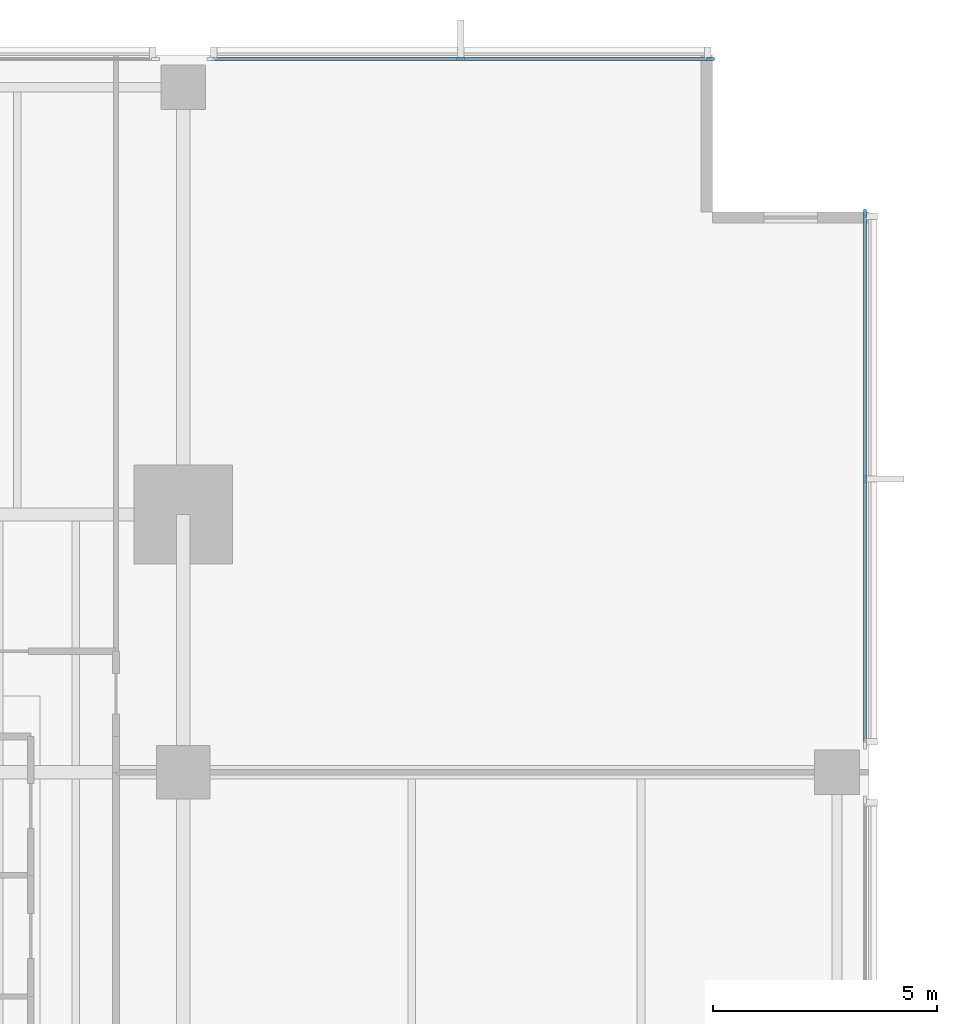
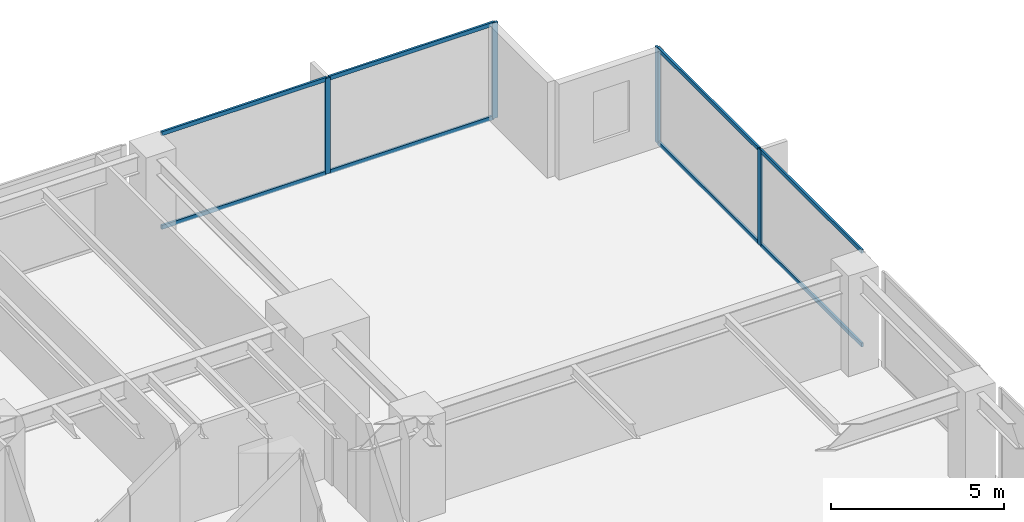
# One storey, part 6 of 15: 12 members, 2 elements without a shape of their own.
"""IFC4 building model written with IfcOpenShell, lengths in metres."""

from ifc_helpers import new_model, si_unit, direction, frame, origin, origin_2d, place, context, subcontext, project, spatial, rectangle, extrude, material, layer, layer_set, material_profile, profile_set, type_object, element, aggregate, save


model = new_model("IFC4")

# Units and contexts
model_context = context("Model", 3, precision=1e-05, world=origin(), true_north=direction((0.0, 1.0)))
body_context = subcontext(model_context, "Body", "Model", "MODEL_VIEW")
ifc_project = project(units=[si_unit("LENGTHUNIT", "METRE"), si_unit("AREAUNIT", "SQUARE_METRE"), si_unit("VOLUMEUNIT", "CUBIC_METRE"), si_unit("PLANEANGLEUNIT", "RADIAN"), si_unit("MASSUNIT", "GRAM", prefix="KILO")], contexts=[model_context])

# Site, building, storey
site_placement = place(None, origin())
site = spatial("IfcSite", under=ifc_project, at=site_placement, CompositionType="ELEMENT")
building_placement = place(site_placement, origin())
building = spatial("IfcBuilding", under=site, at=building_placement, Name="Kinhvarn Gate Tower", CompositionType="ELEMENT")
storey_placement = place(building_placement, frame((0.0, 0.0, 75.300048828125)))
storey = spatial("IfcBuildingStorey", under=building, at=storey_placement, Name="L19", CompositionType="ELEMENT", Elevation=75.300048828125)

# Curtain wall, members
ifc_material = material(Name="Anodised aluminium AW-6063", Category="aluminium")
ifc_layer = layer(ifc_material, 0.179931640625)
ifc_layer_set = layer_set([ifc_layer], Name="Anodised aluminium AW-6063")
curtain_wall_type = type_object("IfcCurtainWallType", Name="CW-SYS-2", PredefinedType="NOTDEFINED", material=ifc_layer_set)
curtain_wall_1_placement = place(storey_placement, origin())
curtain_wall_1 = element("IfcCurtainWall", 1, at=curtain_wall_1_placement, inside=storey, type_object=curtain_wall_type, Name="Curtain Wall CW2 (L19)", PredefinedType="NOTDEFINED")
ifc_material_profile_1 = material_profile(ifc_material, rectangle(XDim=0.070068359375, YDim=0.179931640625, at=origin_2d()), Name="ALU 70x180")
ifc_profile_set_1 = profile_set([ifc_material_profile_1], Name="Anodised aluminium AW-6063")
member_type_1 = type_object("IfcMemberType", Name="CW-MUL-180", PredefinedType="MULLION", material=ifc_profile_set_1)
member_1_placement = place(storey_placement, frame((49.965087890625, 47.909912109375, 0.0), z_axis=(0.0, 0.0, 1.0), x_axis=(0.0, -1.0, 0.0)))
member_1 = element("IfcMember", 2, at=member_1_placement, type_object=member_type_1, Name="CW2 mullion 1", PredefinedType="MULLION", context=body_context, shape_type="SweptSolid", body=[
    extrude(rectangle(XDim=0.070068359375, YDim=0.179931640625, at=origin_2d()), origin(), (0.0, 0.0, 1.0), 3.369873046875),
])
member_2_placement = place(storey_placement, frame((44.389892578125, 47.909912109375, 0.0), z_axis=(0.0, 0.0, 1.0), x_axis=(0.0, -1.0, 0.0)))
member_2 = element("IfcMember", 3, at=member_2_placement, type_object=member_type_1, Name="CW2 mullion 2", PredefinedType="MULLION", context=body_context, shape_type="SweptSolid", body=[
    extrude(rectangle(XDim=0.070068359375, YDim=0.179931640625, at=origin_2d()), origin(), (0.0, 0.0, 1.0), 3.369873046875),
])

curtain_wall_2_placement = place(storey_placement, origin())
curtain_wall_2 = element("IfcCurtainWall", 4, at=curtain_wall_2_placement, inside=storey, type_object=curtain_wall_type, Name="Curtain Wall CW2 (L19)", PredefinedType="NOTDEFINED")
member_3_placement = place(storey_placement, frame((53.409912109375, 38.5400390625, 0.0), z_axis=(0.0, 0.0, 1.0), x_axis=(-1.0, 0.0, 0.0)))
member_3 = element("IfcMember", 5, at=member_3_placement, type_object=member_type_1, Name="CW2 mullion 2", PredefinedType="MULLION", context=body_context, shape_type="SweptSolid", body=[
    extrude(rectangle(XDim=0.070068359375, YDim=0.179931640625, at=origin_2d()), origin(), (0.0, 0.0, 1.0), 3.369873046875),
])
member_4_placement = place(storey_placement, frame((53.409912109375, 44.465087890625, 0.0), z_axis=(0.0, 0.0, 1.0), x_axis=(-1.0, 0.0, 0.0)))
member_4 = element("IfcMember", 6, at=member_4_placement, type_object=member_type_1, Name="CW2 mullion 3", PredefinedType="MULLION", context=body_context, shape_type="SweptSolid", body=[
    extrude(rectangle(XDim=0.070068359375, YDim=0.179931640625, at=origin_2d()), origin(), (0.0, 0.0, 1.0), 3.369873046875),
])

# Member
ifc_material_profile_2 = material_profile(ifc_material, rectangle(XDim=0.070068359375, YDim=0.139892578125, at=origin_2d()), Name="ALU 70x140")
ifc_profile_set_2 = profile_set([ifc_material_profile_2], Name="Anodised aluminium AW-6063")
member_type_2 = type_object("IfcMemberType", Name="CW-TRN-140", PredefinedType="USERDEFINED", material=ifc_profile_set_2)
member_5_placement = place(storey_placement, frame((49.929931640625, 47.909912109375, 0.034912109375), z_axis=(-1.0, 0.0, 0.0), x_axis=(0.0, -1.0, 0.0)))
member_5 = element("IfcMember", 7, at=member_5_placement, type_object=member_type_2, Name="CW2 transom 1.1", ObjectType="TRANSOM", PredefinedType="USERDEFINED", context=body_context, shape_type="SweptSolid", body=[
    extrude(rectangle(XDim=0.070068359375, YDim=0.139892578125, at=origin_2d()), origin(), (0.0, 0.0, 1.0), 5.5048828125),
])

member_6_placement = place(storey_placement, frame((49.929931640625, 47.909912109375, 3.3349609375), z_axis=(-1.0, 0.0, 0.0), x_axis=(0.0, -1.0, 0.0)))
member_6 = element("IfcMember", 8, at=member_6_placement, type_object=member_type_2, Name="CW2 transom 1.2", ObjectType="TRANSOM", PredefinedType="USERDEFINED", context=body_context, shape_type="SweptSolid", body=[
    extrude(rectangle(XDim=0.070068359375, YDim=0.139892578125, at=origin_2d()), origin(), (0.0, 0.0, 1.0), 5.5048828125),
])

member_7_placement = place(storey_placement, frame((44.35498046875, 47.909912109375, 0.034912109375), z_axis=(-1.0, 0.0, 0.0), x_axis=(0.0, -1.0, 0.0)))
member_7 = element("IfcMember", 9, at=member_7_placement, type_object=member_type_2, Name="CW2 transom 2.1", ObjectType="TRANSOM", PredefinedType="USERDEFINED", context=body_context, shape_type="SweptSolid", body=[
    extrude(rectangle(XDim=0.070068359375, YDim=0.139892578125, at=origin_2d()), origin(), (0.0, 0.0, 1.0), 5.5048828125),
])

member_8_placement = place(storey_placement, frame((44.35498046875, 47.909912109375, 3.3349609375), z_axis=(-1.0, 0.0, 0.0), x_axis=(0.0, -1.0, 0.0)))
member_8 = element("IfcMember", 10, at=member_8_placement, type_object=member_type_2, Name="CW2 transom 2.2", ObjectType="TRANSOM", PredefinedType="USERDEFINED", context=body_context, shape_type="SweptSolid", body=[
    extrude(rectangle(XDim=0.070068359375, YDim=0.139892578125, at=origin_2d()), origin(), (0.0, 0.0, 1.0), 5.5048828125),
])

aggregate(curtain_wall_1, [member_1, member_2, member_5, member_6, member_7, member_8])

member_9_placement = place(storey_placement, frame((53.409912109375, 32.64990234375, 0.034912109375), z_axis=(0.0, 1.0, 0.0), x_axis=(-1.0, 0.0, 0.0)))
member_9 = element("IfcMember", 11, at=member_9_placement, type_object=member_type_2, Name="CW2 transom 1.1", ObjectType="TRANSOM", PredefinedType="USERDEFINED", context=body_context, shape_type="SweptSolid", body=[
    extrude(rectangle(XDim=0.070068359375, YDim=0.139892578125, at=origin_2d()), origin(), (0.0, 0.0, 1.0), 5.85498046875),
])

member_10_placement = place(storey_placement, frame((53.409912109375, 32.64990234375, 3.3349609375), z_axis=(0.0, 1.0, 0.0), x_axis=(-1.0, 0.0, 0.0)))
member_10 = element("IfcMember", 12, at=member_10_placement, type_object=member_type_2, Name="CW2 transom 1.2", ObjectType="TRANSOM", PredefinedType="USERDEFINED", context=body_context, shape_type="SweptSolid", body=[
    extrude(rectangle(XDim=0.070068359375, YDim=0.139892578125, at=origin_2d()), origin(), (0.0, 0.0, 1.0), 5.85498046875),
])

member_11_placement = place(storey_placement, frame((53.409912109375, 38.574951171875, 0.034912109375), z_axis=(0.0, 1.0, 0.0), x_axis=(-1.0, 0.0, 0.0)))
member_11 = element("IfcMember", 13, at=member_11_placement, type_object=member_type_2, Name="CW2 transom 2.1", ObjectType="TRANSOM", PredefinedType="USERDEFINED", context=body_context, shape_type="SweptSolid", body=[
    extrude(rectangle(XDim=0.070068359375, YDim=0.139892578125, at=origin_2d()), origin(), (0.0, 0.0, 1.0), 5.85498046875),
])

member_12_placement = place(storey_placement, frame((53.409912109375, 38.574951171875, 3.3349609375), z_axis=(0.0, 1.0, 0.0), x_axis=(-1.0, 0.0, 0.0)))
member_12 = element("IfcMember", 14, at=member_12_placement, type_object=member_type_2, Name="CW2 transom 2.2", ObjectType="TRANSOM", PredefinedType="USERDEFINED", context=body_context, shape_type="SweptSolid", body=[
    extrude(rectangle(XDim=0.070068359375, YDim=0.139892578125, at=origin_2d()), origin(), (0.0, 0.0, 1.0), 5.85498046875),
])

aggregate(curtain_wall_2, [member_3, member_4, member_9, member_10, member_11, member_12])

save(model, "model.ifc")
